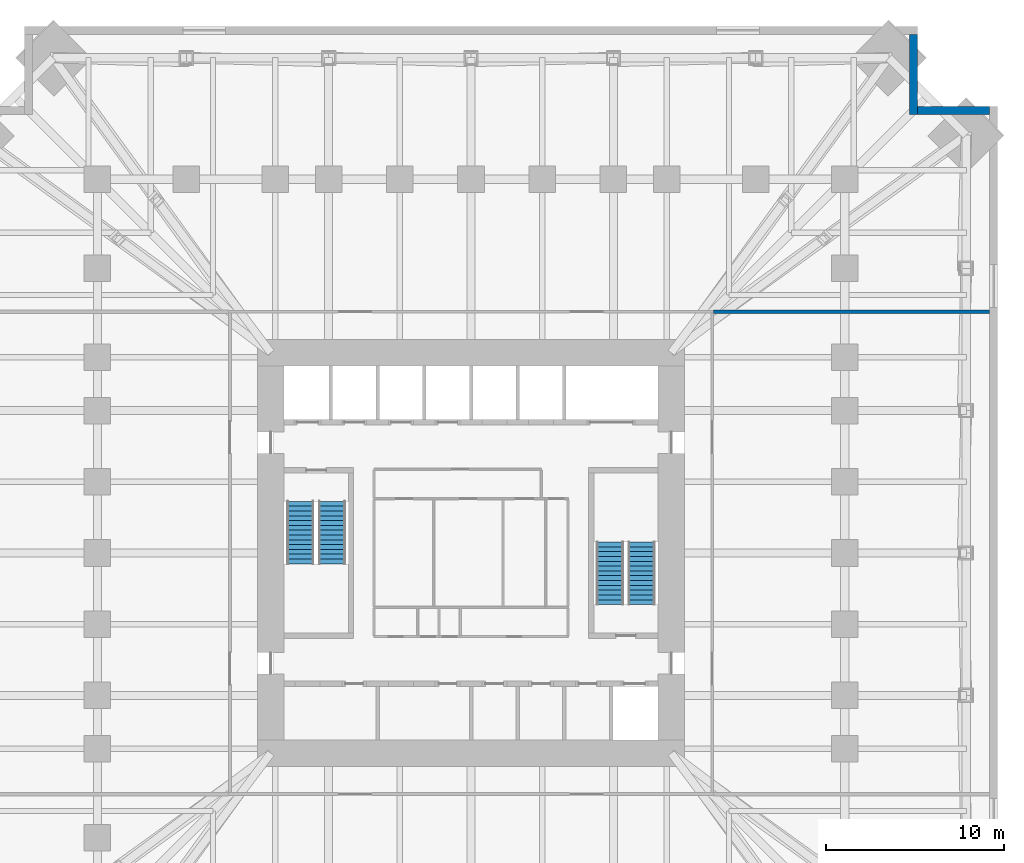
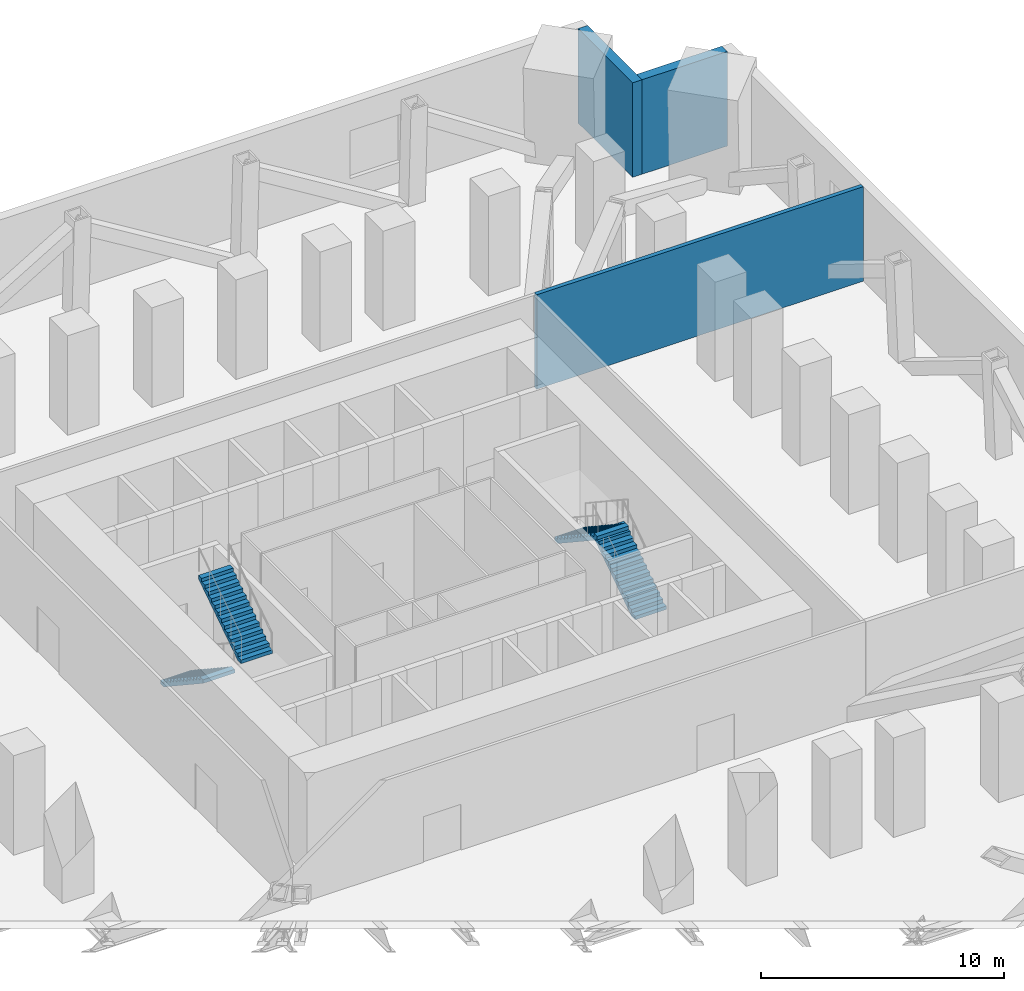
# One storey, part 8 of 9: 4 stair flights, 3 walls, 2 elements without a shape of their own.
"""IFC4 building model written with IfcOpenShell, lengths in metres."""

from ifc_helpers import new_model, si_unit, direction, frame, frame_2d, origin, place, context, subcontext, project, spatial, polyline, rectangle, outline, extrude, material, layer, layer_set, type_object, element, aggregate, save


model = new_model("IFC4")

# Units and contexts
model_context = context("Model", 3, precision=1e-05, world=origin(), true_north=direction((0.0, 1.0)))
body_context = subcontext(model_context, "Body", "Model", "MODEL_VIEW")
ifc_project = project(units=[si_unit("LENGTHUNIT", "METRE"), si_unit("AREAUNIT", "SQUARE_METRE"), si_unit("VOLUMEUNIT", "CUBIC_METRE"), si_unit("PLANEANGLEUNIT", "RADIAN"), si_unit("MASSUNIT", "GRAM", prefix="KILO")], contexts=[model_context])

# Site, building, storey
site_placement = place(None, origin())
site = spatial("IfcSite", under=ifc_project, at=site_placement, CompositionType="ELEMENT")
building_placement = place(site_placement, origin())
building = spatial("IfcBuilding", under=site, at=building_placement, Name="Peilmerk Tower", CompositionType="ELEMENT")
storey_placement = place(building_placement, frame((0.0, 0.0, 76.0)))
storey = spatial("IfcBuildingStorey", under=building, at=storey_placement, Name="L14", CompositionType="ELEMENT", Elevation=76.0)

# Walls
ifc_material_1 = material(Name="Precast concrete C45/55, board-marked finish", Category="concrete")
ifc_layer_1 = layer(ifc_material_1, 0.449951171875)
ifc_layer_set_1 = layer_set([ifc_layer_1], Name="Precast concrete C45/55, board-marked finish")
wall_type_1 = type_object("IfcWallType", Name="EW1 450 precast concrete facade wall, board-marked", PredefinedType="SOLIDWALL", material=ifc_layer_set_1)
wall_1_placement = place(storey_placement, frame((24.875, 24.64990234375, 0.0), z_axis=(0.0, 0.0, 1.0), x_axis=(0.0, 1.0, 0.0)))
element("IfcWall", 1, at=wall_1_placement, inside=storey, type_object=wall_type_1, Name="Facade wall NEA L14", PredefinedType="SOLIDWALL", context=body_context, shape_type="SweptSolid", body=[
    extrude(rectangle(XDim=4.5, YDim=0.449951171875, at=frame_2d((2.25, 0.0))), origin(), (0.0, 0.0, 1.0), 4.75),
])
wall_2_placement = place(storey_placement, frame((25.10009765625, 24.875, 0.0), z_axis=(0.0, 0.0, 1.0), x_axis=(1.0, 0.0, 0.0)))
element("IfcWall", 2, at=wall_2_placement, inside=storey, type_object=wall_type_1, Name="Facade wall NEB L14", PredefinedType="SOLIDWALL", context=body_context, shape_type="SweptSolid", body=[
    extrude(rectangle(XDim=4.0498046875, YDim=0.449951171875, at=frame_2d((2.02490234375, 0.0))), origin(), (0.0, 0.0, 1.0), 4.75),
])
ifc_material_2 = material(Name="Calcium silicate block", Category="masonry")
ifc_layer_2 = layer(ifc_material_2, 0.199951171875)
ifc_layer_set_2 = layer_set([ifc_layer_2], Name="Calcium silicate block")
wall_type_2 = type_object("IfcWallType", Name="IW2 200 room separating wall, EI 120", PredefinedType="PARTITIONING", material=ifc_layer_set_2)
wall_3_placement = place(storey_placement, frame((13.625, 13.550048828125, 0.0), z_axis=(0.0, 0.0, 1.0), x_axis=(1.0, 0.0, 0.0)))
element("IfcWall", 3, at=wall_3_placement, inside=storey, type_object=wall_type_2, Name="Room separating wall NE L14", PredefinedType="PARTITIONING", context=body_context, shape_type="SweptSolid", body=[
    extrude(rectangle(XDim=15.52490234375, YDim=0.199951171875, at=frame_2d((7.762451171875, 0.0))), origin(), (0.0, 0.0, 1.0), 4.75),
])

# Stair, stair flights
ifc_material_3 = material(Name="Precast concrete C45/55", Category="concrete")
stair_type_1 = type_object("IfcStairType", Name="ST1 28 risers of 178.6", PredefinedType="HALF_TURN_STAIR", material=ifc_material_3)
stair_1_placement = place(storey_placement, origin())
stair_1 = element("IfcStair", 4, at=stair_1_placement, inside=storey, type_object=stair_type_1, Name="Stair 1 L14 to L15", PredefinedType="HALF_TURN_STAIR")
stair_flight_type = type_object("IfcStairFlightType", Name="SF14 flight, 14 risers of 178.6", PredefinedType="STRAIGHT", material=ifc_material_3)
stair_flight_1_placement = place(storey_placement, frame((-9.60009765625, 2.89990234375, 0.0), z_axis=(0.0, 0.0, 1.0), x_axis=(0.0, -1.0, 0.0)))
stair_flight_1 = element("IfcStairFlight", 5, at=stair_flight_1_placement, type_object=stair_flight_type, Name="ST1 flight 1", NumberOfRisers=14, NumberOfTreads=13, PredefinedType="STRAIGHT", RiserHeight=0.178571429, TreadLength=0.27, context=body_context, shape_type="SweptSolid", body=[
    extrude(outline(polyline([(0.0, 0.0), (0.0, 0.178466796875), (0.27001953125, 0.178466796875), (0.27001953125, 0.357177734375), (0.5400390625, 0.357177734375), (0.5400390625, 0.53564453125), (0.81005859375, 0.53564453125), (0.81005859375, 0.71435546875), (1.080078125, 0.71435546875), (1.080078125, 0.892822265625), (1.35009765625, 0.892822265625), (1.35009765625, 1.071533203125), (1.6201171875, 1.071533203125), (1.6201171875, 1.25), (1.889892578125, 1.25), (1.889892578125, 1.428466796875), (2.159912109375, 1.428466796875), (2.159912109375, 1.607177734375), (2.429931640625, 1.607177734375), (2.429931640625, 1.78564453125), (2.699951171875, 1.78564453125), (2.699951171875, 1.96435546875), (2.969970703125, 1.96435546875), (2.969970703125, 2.142822265625), (3.239990234375, 2.142822265625), (3.239990234375, 2.321533203125), (3.510009765625, 2.321533203125), (3.510009765625, 2.5), (3.510009765625, 2.1416015625), (0.271728515625, 0.0), (0.0, 0.0)])), frame((0.0, 0.75, 0.0), z_axis=(0.0, -1.0, 0.0), x_axis=(1.0, 0.0, 0.0)), (0.0, 0.0, 1.0), 1.5),
])
stair_flight_2_placement = place(storey_placement, frame((-7.800048828125, -0.610107421875, 2.5), z_axis=(0.0, 0.0, 1.0), x_axis=(0.0, 1.0, 0.0)))
stair_flight_2 = element("IfcStairFlight", 6, at=stair_flight_2_placement, type_object=stair_flight_type, Name="ST1 flight 2", NumberOfRisers=14, NumberOfTreads=13, PredefinedType="STRAIGHT", RiserHeight=0.178571429, TreadLength=0.27, context=body_context, shape_type="SweptSolid", body=[
    extrude(outline(polyline([(0.0, 0.0), (0.0, 0.178466796875), (0.27001953125, 0.178466796875), (0.27001953125, 0.357177734375), (0.5400390625, 0.357177734375), (0.5400390625, 0.53564453125), (0.81005859375, 0.53564453125), (0.81005859375, 0.71435546875), (1.080078125, 0.71435546875), (1.080078125, 0.892822265625), (1.35009765625, 0.892822265625), (1.35009765625, 1.071533203125), (1.6201171875, 1.071533203125), (1.6201171875, 1.25), (1.889892578125, 1.25), (1.889892578125, 1.428466796875), (2.159912109375, 1.428466796875), (2.159912109375, 1.607177734375), (2.429931640625, 1.607177734375), (2.429931640625, 1.78564453125), (2.699951171875, 1.78564453125), (2.699951171875, 1.96435546875), (2.969970703125, 1.96435546875), (2.969970703125, 2.142822265625), (3.239990234375, 2.142822265625), (3.239990234375, 2.321533203125), (3.510009765625, 2.321533203125), (3.510009765625, 2.5), (3.510009765625, 2.1416015625), (0.271728515625, 0.0), (0.0, 0.0)])), frame((0.0, 0.75, 0.0), z_axis=(0.0, -1.0, 0.0), x_axis=(1.0, 0.0, 0.0)), (0.0, 0.0, 1.0), 1.5),
])
aggregate(stair_1, [stair_flight_1, stair_flight_2])

stair_type_2 = type_object("IfcStairType", Name="ST2 28 risers of 178.6", PredefinedType="HALF_TURN_STAIR", material=ifc_material_3)
stair_2_placement = place(storey_placement, origin())
stair_2 = element("IfcStair", 7, at=stair_2_placement, inside=storey, type_object=stair_type_2, Name="Stair 2 L14 to L15", PredefinedType="HALF_TURN_STAIR")
stair_flight_3_placement = place(storey_placement, frame((9.60009765625, -2.89990234375, 0.0), z_axis=(0.0, 0.0, 1.0), x_axis=(0.0, 1.0, 0.0)))
stair_flight_3 = element("IfcStairFlight", 8, at=stair_flight_3_placement, type_object=stair_flight_type, Name="ST2 flight 1", NumberOfRisers=14, NumberOfTreads=13, PredefinedType="STRAIGHT", RiserHeight=0.178571429, TreadLength=0.27, context=body_context, shape_type="SweptSolid", body=[
    extrude(outline(polyline([(0.0, 0.0), (0.0, 0.178466796875), (0.27001953125, 0.178466796875), (0.27001953125, 0.357177734375), (0.5400390625, 0.357177734375), (0.5400390625, 0.53564453125), (0.81005859375, 0.53564453125), (0.81005859375, 0.71435546875), (1.080078125, 0.71435546875), (1.080078125, 0.892822265625), (1.35009765625, 0.892822265625), (1.35009765625, 1.071533203125), (1.6201171875, 1.071533203125), (1.6201171875, 1.25), (1.889892578125, 1.25), (1.889892578125, 1.428466796875), (2.159912109375, 1.428466796875), (2.159912109375, 1.607177734375), (2.429931640625, 1.607177734375), (2.429931640625, 1.78564453125), (2.699951171875, 1.78564453125), (2.699951171875, 1.96435546875), (2.969970703125, 1.96435546875), (2.969970703125, 2.142822265625), (3.239990234375, 2.142822265625), (3.239990234375, 2.321533203125), (3.510009765625, 2.321533203125), (3.510009765625, 2.5), (3.510009765625, 2.1416015625), (0.271728515625, 0.0), (0.0, 0.0)])), frame((0.0, 0.75, 0.0), z_axis=(0.0, -1.0, 0.0), x_axis=(1.0, 0.0, 0.0)), (0.0, 0.0, 1.0), 1.5),
])
stair_flight_4_placement = place(storey_placement, frame((7.800048828125, 0.610107421875, 2.5), z_axis=(0.0, 0.0, 1.0), x_axis=(0.0, -1.0, 0.0)))
stair_flight_4 = element("IfcStairFlight", 9, at=stair_flight_4_placement, type_object=stair_flight_type, Name="ST2 flight 2", NumberOfRisers=14, NumberOfTreads=13, PredefinedType="STRAIGHT", RiserHeight=0.178571429, TreadLength=0.27, context=body_context, shape_type="SweptSolid", body=[
    extrude(outline(polyline([(0.0, 0.0), (0.0, 0.178466796875), (0.27001953125, 0.178466796875), (0.27001953125, 0.357177734375), (0.5400390625, 0.357177734375), (0.5400390625, 0.53564453125), (0.81005859375, 0.53564453125), (0.81005859375, 0.71435546875), (1.080078125, 0.71435546875), (1.080078125, 0.892822265625), (1.35009765625, 0.892822265625), (1.35009765625, 1.071533203125), (1.6201171875, 1.071533203125), (1.6201171875, 1.25), (1.889892578125, 1.25), (1.889892578125, 1.428466796875), (2.159912109375, 1.428466796875), (2.159912109375, 1.607177734375), (2.429931640625, 1.607177734375), (2.429931640625, 1.78564453125), (2.699951171875, 1.78564453125), (2.699951171875, 1.96435546875), (2.969970703125, 1.96435546875), (2.969970703125, 2.142822265625), (3.239990234375, 2.142822265625), (3.239990234375, 2.321533203125), (3.510009765625, 2.321533203125), (3.510009765625, 2.5), (3.510009765625, 2.1416015625), (0.271728515625, 0.0), (0.0, 0.0)])), frame((0.0, 0.75, 0.0), z_axis=(0.0, -1.0, 0.0), x_axis=(1.0, 0.0, 0.0)), (0.0, 0.0, 1.0), 1.5),
])
aggregate(stair_2, [stair_flight_3, stair_flight_4])

save(model, "model.ifc")
